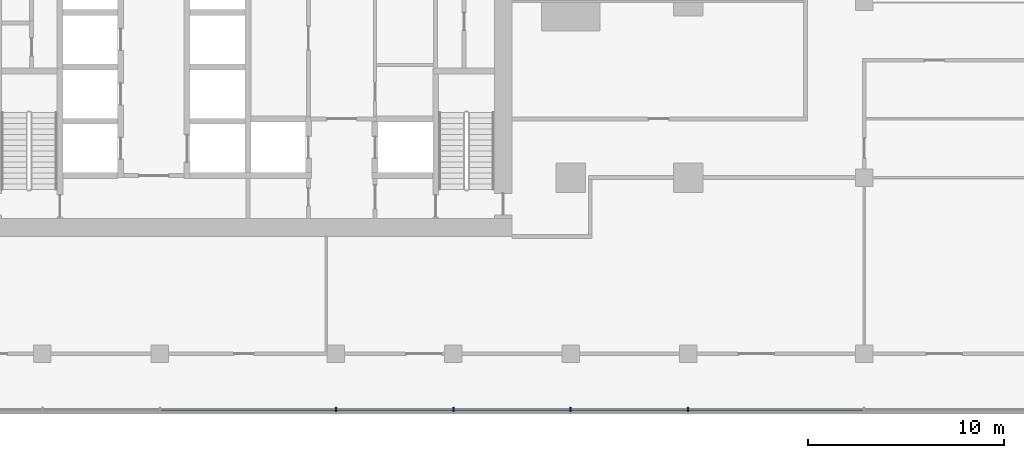
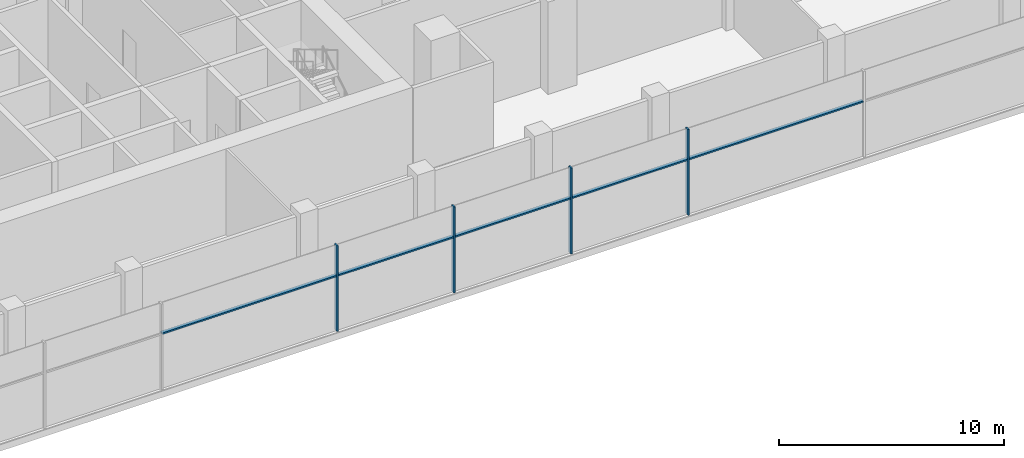
# One storey, part 3 of 22: 9 members, 1 element without a shape of its own.
"""IFC4 building model written with IfcOpenShell, lengths in metres."""

from ifc_helpers import new_model, si_unit, direction, frame, origin, origin_2d, place, context, subcontext, project, spatial, rectangle, extrude, material, material_profile, profile_set, type_object, element, aggregate, save


model = new_model("IFC4")

# Units and contexts
model_context = context("Model", 3, precision=1e-05, world=origin(), true_north=direction((0.0, 1.0)))
body_context = subcontext(model_context, "Body", "Model", "MODEL_VIEW")
ifc_project = project(units=[si_unit("LENGTHUNIT", "METRE"), si_unit("AREAUNIT", "SQUARE_METRE"), si_unit("VOLUMEUNIT", "CUBIC_METRE"), si_unit("PLANEANGLEUNIT", "RADIAN"), si_unit("MASSUNIT", "GRAM", prefix="KILO")], contexts=[model_context])

# Site, building, storey
site_placement = place(None, origin())
site = spatial("IfcSite", under=ifc_project, at=site_placement, CompositionType="ELEMENT")
building_placement = place(site_placement, origin())
building = spatial("IfcBuilding", under=site, at=building_placement, Name="Finial Court Residences", CompositionType="ELEMENT")
storey_placement = place(building_placement, frame((0.0, 0.0, 18.5)))
storey = spatial("IfcBuildingStorey", under=building, at=storey_placement, Name="L03", CompositionType="ELEMENT", Elevation=18.5)

# Curtain wall, members
ifc_material = material(Name="Bronze anodised aluminium", Category="aluminium")
curtain_wall_type = type_object("IfcCurtainWallType", Name="Podium curtain wall", PredefinedType="NOTDEFINED", material=ifc_material)
curtain_wall_placement = place(storey_placement, origin())
curtain_wall = element("IfcCurtainWall", 1, at=curtain_wall_placement, inside=storey, type_object=curtain_wall_type, Name="E-L03-CW-S3", PredefinedType="NOTDEFINED")
ifc_material_profile_1 = material_profile(ifc_material, rectangle(XDim=0.22509765625, YDim=0.080078125, at=origin_2d()), Name="CW5 mullion 80 x 225")
ifc_profile_set_1 = profile_set([ifc_material_profile_1], Name="Bronze anodised aluminium")
member_type_1 = type_object("IfcMemberType", Name="CW5 mullion 80 x 225", PredefinedType="MULLION", material=ifc_profile_set_1)
member_1_placement = place(storey_placement, frame((4.5, -34.35009765625, 0.0), z_axis=(0.0, 0.0, 1.0), x_axis=(0.0, 1.0, 0.0)))
member_1 = element("IfcMember", 2, at=member_1_placement, type_object=member_type_1, Name="CW5 mullion 7", PredefinedType="MULLION", context=body_context, shape_type="SweptSolid", body=[
    extrude(rectangle(XDim=0.22509765625, YDim=0.080078125, at=origin_2d()), origin(), (0.0, 0.0, 1.0), 4.64990234375),
])
member_2_placement = place(storey_placement, frame((10.5, -34.35009765625, 0.0), z_axis=(0.0, 0.0, 1.0), x_axis=(0.0, 1.0, 0.0)))
member_2 = element("IfcMember", 3, at=member_2_placement, type_object=member_type_1, Name="CW5 mullion 8", PredefinedType="MULLION", context=body_context, shape_type="SweptSolid", body=[
    extrude(rectangle(XDim=0.22509765625, YDim=0.080078125, at=origin_2d()), origin(), (0.0, 0.0, 1.0), 4.64990234375),
])
member_3_placement = place(storey_placement, frame((16.5, -34.35009765625, 0.0), z_axis=(0.0, 0.0, 1.0), x_axis=(0.0, 1.0, 0.0)))
member_3 = element("IfcMember", 4, at=member_3_placement, type_object=member_type_1, Name="CW5 mullion 9", PredefinedType="MULLION", context=body_context, shape_type="SweptSolid", body=[
    extrude(rectangle(XDim=0.22509765625, YDim=0.080078125, at=origin_2d()), origin(), (0.0, 0.0, 1.0), 4.64990234375),
])
member_4_placement = place(storey_placement, frame((22.5, -34.35009765625, 0.0), z_axis=(0.0, 0.0, 1.0), x_axis=(0.0, 1.0, 0.0)))
member_4 = element("IfcMember", 5, at=member_4_placement, type_object=member_type_1, Name="CW5 mullion 10", PredefinedType="MULLION", context=body_context, shape_type="SweptSolid", body=[
    extrude(rectangle(XDim=0.22509765625, YDim=0.080078125, at=origin_2d()), origin(), (0.0, 0.0, 1.0), 4.64990234375),
])
ifc_material_profile_2 = material_profile(ifc_material, rectangle(XDim=0.175048828125, YDim=0.080078125, at=origin_2d()), Name="CW5 transom 80 x 175")
ifc_profile_set_2 = profile_set([ifc_material_profile_2], Name="Bronze anodised aluminium")
member_type_2 = type_object("IfcMemberType", Name="CW5 transom 80 x 175", PredefinedType="USERDEFINED", material=ifc_profile_set_2)
member_5_placement = place(storey_placement, frame((-4.4599609375, -34.35009765625, 3.0), z_axis=(1.0, 0.0, 0.0), x_axis=(0.0, 1.0, 0.0)))
member_5 = element("IfcMember", 6, at=member_5_placement, type_object=member_type_2, Name="CW5 transom 6.1", ObjectType="TRANSOM", PredefinedType="USERDEFINED", context=body_context, shape_type="SweptSolid", body=[
    extrude(rectangle(XDim=0.175048828125, YDim=0.080078125, at=origin_2d()), origin(), (0.0, 0.0, 1.0), 8.919921875),
])
member_6_placement = place(storey_placement, frame((4.5400390625, -34.35009765625, 3.0), z_axis=(1.0, 0.0, 0.0), x_axis=(0.0, 1.0, 0.0)))
member_6 = element("IfcMember", 7, at=member_6_placement, type_object=member_type_2, Name="CW5 transom 7.1", ObjectType="TRANSOM", PredefinedType="USERDEFINED", context=body_context, shape_type="SweptSolid", body=[
    extrude(rectangle(XDim=0.175048828125, YDim=0.080078125, at=origin_2d()), origin(), (0.0, 0.0, 1.0), 5.919921875),
])
member_7_placement = place(storey_placement, frame((10.5400390625, -34.35009765625, 3.0), z_axis=(1.0, 0.0, 0.0), x_axis=(0.0, 1.0, 0.0)))
member_7 = element("IfcMember", 8, at=member_7_placement, type_object=member_type_2, Name="CW5 transom 8.1", ObjectType="TRANSOM", PredefinedType="USERDEFINED", context=body_context, shape_type="SweptSolid", body=[
    extrude(rectangle(XDim=0.175048828125, YDim=0.080078125, at=origin_2d()), origin(), (0.0, 0.0, 1.0), 5.919921875),
])
member_8_placement = place(storey_placement, frame((16.5400390625, -34.35009765625, 3.0), z_axis=(1.0, 0.0, 0.0), x_axis=(0.0, 1.0, 0.0)))
member_8 = element("IfcMember", 9, at=member_8_placement, type_object=member_type_2, Name="CW5 transom 9.1", ObjectType="TRANSOM", PredefinedType="USERDEFINED", context=body_context, shape_type="SweptSolid", body=[
    extrude(rectangle(XDim=0.175048828125, YDim=0.080078125, at=origin_2d()), origin(), (0.0, 0.0, 1.0), 5.919921875),
])
member_9_placement = place(storey_placement, frame((22.5400390625, -34.35009765625, 3.0), z_axis=(1.0, 0.0, 0.0), x_axis=(0.0, 1.0, 0.0)))
member_9 = element("IfcMember", 10, at=member_9_placement, type_object=member_type_2, Name="CW5 transom 10.1", ObjectType="TRANSOM", PredefinedType="USERDEFINED", context=body_context, shape_type="SweptSolid", body=[
    extrude(rectangle(XDim=0.175048828125, YDim=0.080078125, at=origin_2d()), origin(), (0.0, 0.0, 1.0), 8.919921875),
])
aggregate(curtain_wall, [member_1, member_2, member_3, member_4, member_5, member_6, member_7, member_8, member_9])

save(model, "model.ifc")
